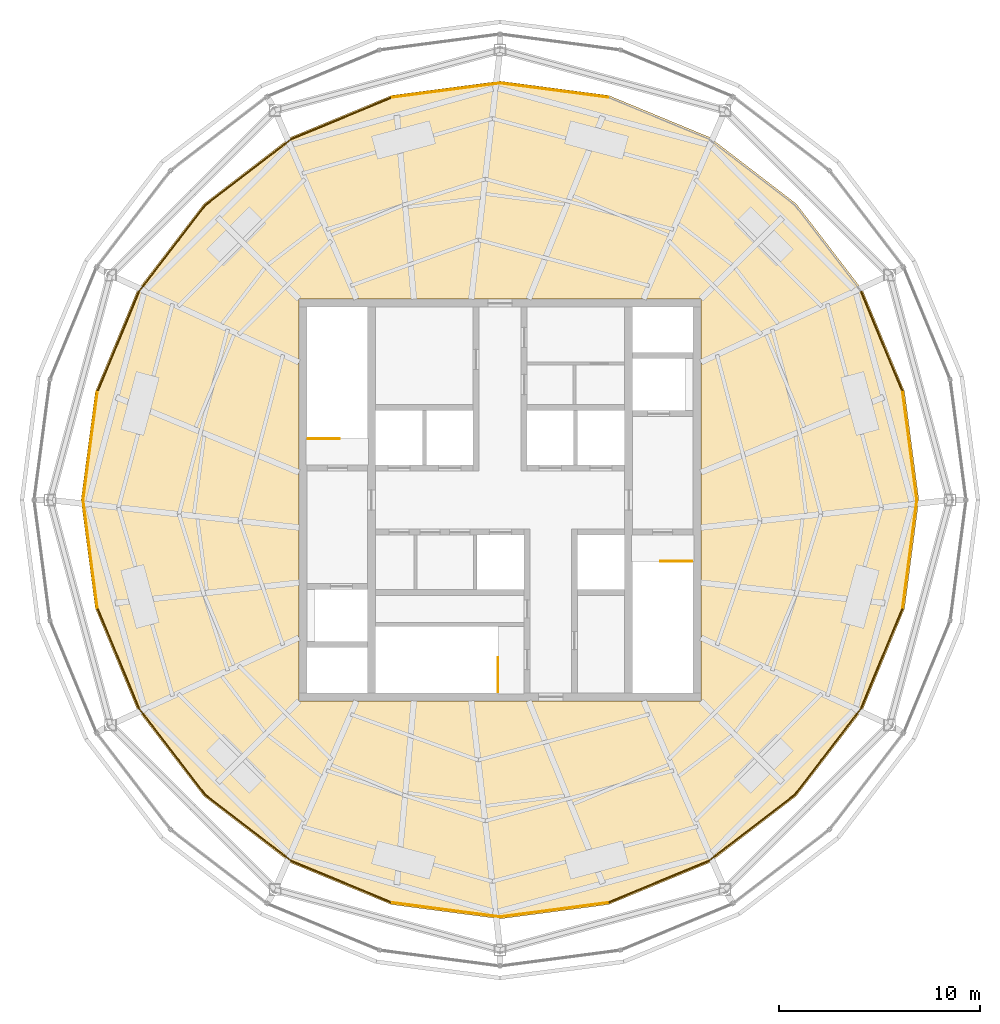
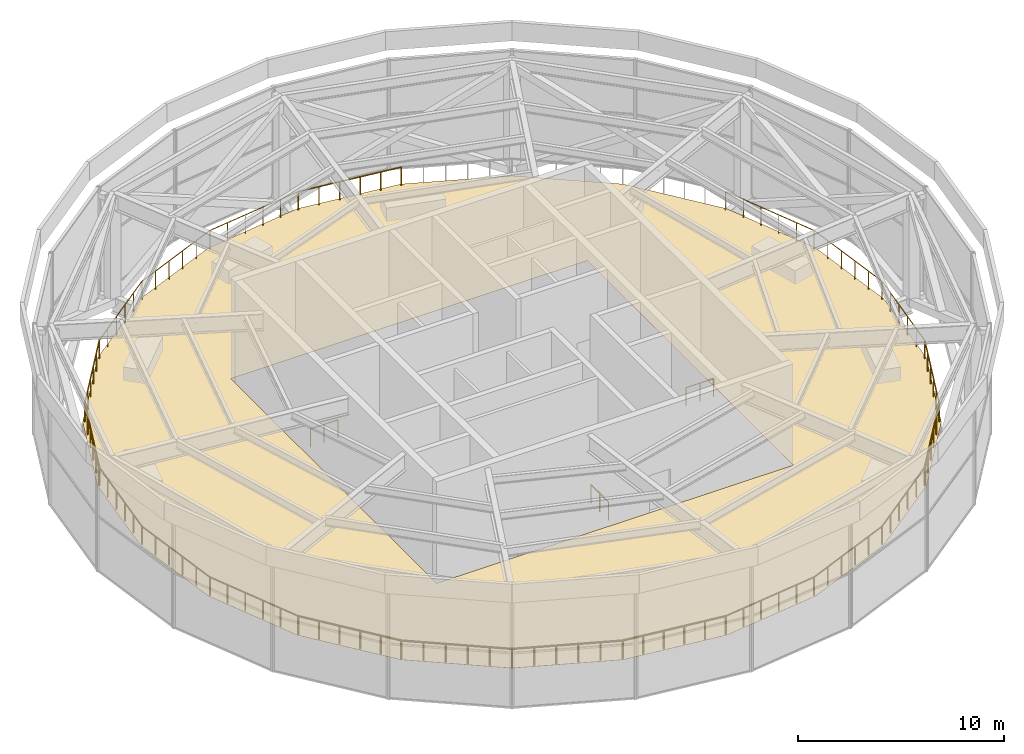
# One storey, part 11 of 13: 24 railings, 1 covering.
"""IFC4 building model written with IfcOpenShell, lengths in metres."""

from ifc_helpers import new_model, si_unit, direction, frame, origin, origin_2d, place, context, subcontext, project, spatial, polyline, circle, outline, extrude, material, layer, layer_set, type_object, element, save


model = new_model("IFC4")

# Units and contexts
model_context = context("Model", 3, precision=1e-05, world=origin(), true_north=direction((0.0, 1.0)))
body_context = subcontext(model_context, "Body", "Model", "MODEL_VIEW")
ifc_project = project(units=[si_unit("LENGTHUNIT", "METRE"), si_unit("AREAUNIT", "SQUARE_METRE"), si_unit("VOLUMEUNIT", "CUBIC_METRE"), si_unit("PLANEANGLEUNIT", "RADIAN"), si_unit("MASSUNIT", "GRAM", prefix="KILO")], contexts=[model_context])

# Site, building, storey
site_placement = place(None, origin())
site = spatial("IfcSite", under=ifc_project, at=site_placement, CompositionType="ELEMENT")
building_placement = place(site_placement, origin())
building = spatial("IfcBuilding", under=site, at=building_placement, Name="Golbaran Civic Tower", CompositionType="ELEMENT")
storey_placement = place(building_placement, frame((0.0, 0.0, 284.0)))
storey = spatial("IfcBuildingStorey", under=building, at=storey_placement, Name="L69", CompositionType="ELEMENT", Elevation=284.0)

# Railings
ifc_material_1 = material(Name="Steel balustrade", Category="steel")
railing_type_1 = type_object("IfcRailingType", Name="STAIR GUARD 1100", PredefinedType="GUARDRAIL", material=ifc_material_1)
railing_1_placement = place(storey_placement, frame((-9.550048828125, 3.050048828125, 0.0)))
element("IfcRailing", 1, at=railing_1_placement, inside=storey, type_object=railing_type_1, Name="Stair S1 top landing guard", PredefinedType="GUARDRAIL", context=body_context, shape_type="SweptSolid", body=[
    extrude(circle(Radius=0.02392578125, at=origin_2d()), frame((0.0, 0.0, 1.076171875), z_axis=(1.0, 0.0, 0.0), x_axis=(0.0, 1.0, 0.0)), (0.0, 0.0, 1.0), 1.550048828125),
    extrude(circle(Radius=0.02099609375, at=origin_2d()), origin(), (0.0, 0.0, 1.0), 1.052001953125),
    extrude(circle(Radius=0.02099609375, at=origin_2d()), frame((0.77490234375, 0.0, 0.0)), (0.0, 0.0, 1.0), 1.052001953125),
    extrude(circle(Radius=0.02099609375, at=origin_2d()), frame((1.550048828125, 0.0, 0.0)), (0.0, 0.0, 1.0), 1.052001953125),
])
railing_2_placement = place(storey_placement, frame((9.550048828125, -3.050048828125, 0.0)))
element("IfcRailing", 2, at=railing_2_placement, inside=storey, type_object=railing_type_1, Name="Stair S2 top landing guard", PredefinedType="GUARDRAIL", context=body_context, shape_type="SweptSolid", body=[
    extrude(circle(Radius=0.02392578125, at=origin_2d()), frame((0.0, 0.0, 1.076171875), z_axis=(-1.0, 0.0, 0.0), x_axis=(0.0, -1.0, 0.0)), (0.0, 0.0, 1.0), 1.550048828125),
    extrude(circle(Radius=0.02099609375, at=origin_2d()), origin(), (0.0, 0.0, 1.0), 1.052001953125),
    extrude(circle(Radius=0.02099609375, at=origin_2d()), frame((-0.77490234375, 0.0, 0.0)), (0.0, 0.0, 1.0), 1.052001953125),
    extrude(circle(Radius=0.02099609375, at=origin_2d()), frame((-1.550048828125, 0.0, 0.0)), (0.0, 0.0, 1.0), 1.052001953125),
])
railing_3_placement = place(storey_placement, frame((-0.10009765625, -9.550048828125, 0.0)))
element("IfcRailing", 3, at=railing_3_placement, inside=storey, type_object=railing_type_1, Name="Stair S3 top landing guard", PredefinedType="GUARDRAIL", context=body_context, shape_type="SweptSolid", body=[
    extrude(circle(Radius=0.02392578125, at=origin_2d()), frame((0.0, 0.0, 1.076171875), z_axis=(0.0, 1.0, 0.0), x_axis=(-1.0, 0.0, 0.0)), (0.0, 0.0, 1.0), 1.699951171875),
    extrude(circle(Radius=0.02099609375, at=origin_2d()), origin(), (0.0, 0.0, 1.0), 1.052001953125),
    extrude(circle(Radius=0.02099609375, at=origin_2d()), frame((0.0, 0.85009765625, 0.0)), (0.0, 0.0, 1.0), 1.052001953125),
    extrude(circle(Radius=0.02099609375, at=origin_2d()), frame((0.0, 1.699951171875, 0.0)), (0.0, 0.0, 1.0), 1.052001953125),
])
ifc_material_2 = material(Name="Stainless steel and glass", Category="steel")
railing_type_2 = type_object("IfcRailingType", Name="TERRACE GUARD RAIL 1100", PredefinedType="GUARDRAIL", material=ifc_material_2)
railing_4_placement = place(storey_placement, frame((20.756103515625, 0.0, 0.0)))
element("IfcRailing", 4, at=railing_4_placement, inside=storey, type_object=railing_type_2, Name="Roof terrace guard 1", PredefinedType="GUARDRAIL", context=body_context, shape_type="SweptSolid", body=[
    extrude(circle(Radius=0.02392578125, at=origin_2d()), frame((0.0, 0.0, 1.076171875), z_axis=(-0.130531438039, 0.991444170734, 0.0), x_axis=(-0.991444170734, -0.130531438039, 0.0)), (0.0, 0.0, 1.0), 5.41845703125),
    extrude(circle(Radius=0.02099609375, at=origin_2d()), origin(), (0.0, 0.0, 1.0), 1.052001953125),
    extrude(circle(Radius=0.02099609375, at=origin_2d()), frame((-0.141357421875, 1.074462890625, 0.0)), (0.0, 0.0, 1.0), 1.052001953125),
    extrude(circle(Radius=0.02099609375, at=origin_2d()), frame((-0.282958984375, 2.14892578125, 0.0)), (0.0, 0.0, 1.0), 1.052001953125),
    extrude(circle(Radius=0.02099609375, at=origin_2d()), frame((-0.42431640625, 3.22314453125, 0.0)), (0.0, 0.0, 1.0), 1.052001953125),
    extrude(circle(Radius=0.02099609375, at=origin_2d()), frame((-0.56591796875, 4.297607421875, 0.0)), (0.0, 0.0, 1.0), 1.052001953125),
    extrude(circle(Radius=0.02099609375, at=origin_2d()), frame((-0.707275390625, 5.3720703125, 0.0)), (0.0, 0.0, 1.0), 1.052001953125),
])
railing_5_placement = place(storey_placement, frame((20.048828125, 5.3720703125, 0.0)))
element("IfcRailing", 5, at=railing_5_placement, inside=storey, type_object=railing_type_2, Name="Roof terrace guard 2", PredefinedType="GUARDRAIL", context=body_context, shape_type="SweptSolid", body=[
    extrude(circle(Radius=0.02392578125, at=origin_2d()), frame((0.0, 0.0, 1.076171875), z_axis=(-0.382682090773, 0.923880088216, 0.0), x_axis=(-0.923880088216, -0.382682090773, 0.0)), (0.0, 0.0, 1.0), 5.418212890625),
    extrude(circle(Radius=0.02099609375, at=origin_2d()), origin(), (0.0, 0.0, 1.0), 1.052001953125),
    extrude(circle(Radius=0.02099609375, at=origin_2d()), frame((-0.414794921875, 1.001220703125, 0.0)), (0.0, 0.0, 1.0), 1.052001953125),
    extrude(circle(Radius=0.02099609375, at=origin_2d()), frame((-0.829345703125, 2.00244140625, 0.0)), (0.0, 0.0, 1.0), 1.052001953125),
    extrude(circle(Radius=0.02099609375, at=origin_2d()), frame((-1.244140625, 3.00341796875, 0.0)), (0.0, 0.0, 1.0), 1.052001953125),
    extrude(circle(Radius=0.02099609375, at=origin_2d()), frame((-1.65869140625, 4.004638671875, 0.0)), (0.0, 0.0, 1.0), 1.052001953125),
    extrude(circle(Radius=0.02099609375, at=origin_2d()), frame((-2.073486328125, 5.005859375, 0.0)), (0.0, 0.0, 1.0), 1.052001953125),
])
railing_6_placement = place(storey_placement, frame((5.3720703125, 20.048828125, 0.0)))
element("IfcRailing", 6, at=railing_6_placement, inside=storey, type_object=railing_type_2, Name="Roof terrace guard 6", PredefinedType="GUARDRAIL", context=body_context, shape_type="SweptSolid", body=[
    extrude(circle(Radius=0.02392578125, at=origin_2d()), frame((0.0, 0.0, 1.076171875), z_axis=(-0.991444170734, 0.130531438039, 0.0), x_axis=(-0.130531438039, -0.991444170734, 0.0)), (0.0, 0.0, 1.0), 5.41845703125),
    extrude(circle(Radius=0.02099609375, at=origin_2d()), origin(), (0.0, 0.0, 1.0), 1.052001953125),
    extrude(circle(Radius=0.02099609375, at=origin_2d()), frame((-1.074462890625, 0.141357421875, 0.0)), (0.0, 0.0, 1.0), 1.052001953125),
    extrude(circle(Radius=0.02099609375, at=origin_2d()), frame((-2.14892578125, 0.282958984375, 0.0)), (0.0, 0.0, 1.0), 1.052001953125),
    extrude(circle(Radius=0.02099609375, at=origin_2d()), frame((-3.22314453125, 0.42431640625, 0.0)), (0.0, 0.0, 1.0), 1.052001953125),
    extrude(circle(Radius=0.02099609375, at=origin_2d()), frame((-4.297607421875, 0.56591796875, 0.0)), (0.0, 0.0, 1.0), 1.052001953125),
    extrude(circle(Radius=0.02099609375, at=origin_2d()), frame((-5.3720703125, 0.707275390625, 0.0)), (0.0, 0.0, 1.0), 1.052001953125),
])
railing_7_placement = place(storey_placement, frame((0.0, 20.756103515625, 0.0)))
element("IfcRailing", 7, at=railing_7_placement, inside=storey, type_object=railing_type_2, Name="Roof terrace guard 7", PredefinedType="GUARDRAIL", context=body_context, shape_type="SweptSolid", body=[
    extrude(circle(Radius=0.02392578125, at=origin_2d()), frame((0.0, 0.0, 1.076171875), z_axis=(-0.991444170734, -0.130531438039, 0.0), x_axis=(0.130531438039, -0.991444170734, 0.0)), (0.0, 0.0, 1.0), 5.41845703125),
    extrude(circle(Radius=0.02099609375, at=origin_2d()), origin(), (0.0, 0.0, 1.0), 1.052001953125),
    extrude(circle(Radius=0.02099609375, at=origin_2d()), frame((-1.074462890625, -0.141357421875, 0.0)), (0.0, 0.0, 1.0), 1.052001953125),
    extrude(circle(Radius=0.02099609375, at=origin_2d()), frame((-2.14892578125, -0.282958984375, 0.0)), (0.0, 0.0, 1.0), 1.052001953125),
    extrude(circle(Radius=0.02099609375, at=origin_2d()), frame((-3.22314453125, -0.42431640625, 0.0)), (0.0, 0.0, 1.0), 1.052001953125),
    extrude(circle(Radius=0.02099609375, at=origin_2d()), frame((-4.297607421875, -0.56591796875, 0.0)), (0.0, 0.0, 1.0), 1.052001953125),
    extrude(circle(Radius=0.02099609375, at=origin_2d()), frame((-5.3720703125, -0.707275390625, 0.0)), (0.0, 0.0, 1.0), 1.052001953125),
])
railing_8_placement = place(storey_placement, frame((-5.3720703125, 20.048828125, 0.0)))
element("IfcRailing", 8, at=railing_8_placement, inside=storey, type_object=railing_type_2, Name="Roof terrace guard 8", PredefinedType="GUARDRAIL", context=body_context, shape_type="SweptSolid", body=[
    extrude(circle(Radius=0.02392578125, at=origin_2d()), frame((0.0, 0.0, 1.076171875), z_axis=(-0.923880088216, -0.382682090773, 0.0), x_axis=(0.382682090773, -0.923880088216, 0.0)), (0.0, 0.0, 1.0), 5.418212890625),
    extrude(circle(Radius=0.02099609375, at=origin_2d()), origin(), (0.0, 0.0, 1.0), 1.052001953125),
    extrude(circle(Radius=0.02099609375, at=origin_2d()), frame((-1.001220703125, -0.414794921875, 0.0)), (0.0, 0.0, 1.0), 1.052001953125),
    extrude(circle(Radius=0.02099609375, at=origin_2d()), frame((-2.00244140625, -0.829345703125, 0.0)), (0.0, 0.0, 1.0), 1.052001953125),
    extrude(circle(Radius=0.02099609375, at=origin_2d()), frame((-3.00341796875, -1.244140625, 0.0)), (0.0, 0.0, 1.0), 1.052001953125),
    extrude(circle(Radius=0.02099609375, at=origin_2d()), frame((-4.004638671875, -1.65869140625, 0.0)), (0.0, 0.0, 1.0), 1.052001953125),
    extrude(circle(Radius=0.02099609375, at=origin_2d()), frame((-5.005859375, -2.073486328125, 0.0)), (0.0, 0.0, 1.0), 1.052001953125),
])
railing_9_placement = place(storey_placement, frame((-10.3779296875, 17.975341796875, 0.0)))
element("IfcRailing", 9, at=railing_9_placement, inside=storey, type_object=railing_type_2, Name="Roof terrace guard 9", PredefinedType="GUARDRAIL", context=body_context, shape_type="SweptSolid", body=[
    extrude(circle(Radius=0.02392578125, at=origin_2d()), frame((0.0, 0.0, 1.076171875), z_axis=(-0.793355377176, -0.608758774479, 0.0), x_axis=(0.608758774479, -0.793355377176, 0.0)), (0.0, 0.0, 1.0), 5.41845703125),
    extrude(circle(Radius=0.02099609375, at=origin_2d()), origin(), (0.0, 0.0, 1.0), 1.052001953125),
    extrude(circle(Radius=0.02099609375, at=origin_2d()), frame((-0.85986328125, -0.65966796875, 0.0)), (0.0, 0.0, 1.0), 1.052001953125),
    extrude(circle(Radius=0.02099609375, at=origin_2d()), frame((-1.719482421875, -1.3193359375, 0.0)), (0.0, 0.0, 1.0), 1.052001953125),
    extrude(circle(Radius=0.02099609375, at=origin_2d()), frame((-2.579345703125, -1.979248046875, 0.0)), (0.0, 0.0, 1.0), 1.052001953125),
    extrude(circle(Radius=0.02099609375, at=origin_2d()), frame((-3.43896484375, -2.638916015625, 0.0)), (0.0, 0.0, 1.0), 1.052001953125),
    extrude(circle(Radius=0.02099609375, at=origin_2d()), frame((-4.298828125, -3.298583984375, 0.0)), (0.0, 0.0, 1.0), 1.052001953125),
])
railing_10_placement = place(storey_placement, frame((-14.6767578125, 14.6767578125, 0.0)))
element("IfcRailing", 10, at=railing_10_placement, inside=storey, type_object=railing_type_2, Name="Roof terrace guard 10", PredefinedType="GUARDRAIL", context=body_context, shape_type="SweptSolid", body=[
    extrude(circle(Radius=0.02392578125, at=origin_2d()), frame((0.0, 0.0, 1.076171875), z_axis=(-0.608758774479, -0.793355377176, 0.0), x_axis=(0.793355377176, -0.608758774479, 0.0)), (0.0, 0.0, 1.0), 5.41845703125),
    extrude(circle(Radius=0.02099609375, at=origin_2d()), origin(), (0.0, 0.0, 1.0), 1.052001953125),
    extrude(circle(Radius=0.02099609375, at=origin_2d()), frame((-0.65966796875, -0.85986328125, 0.0)), (0.0, 0.0, 1.0), 1.052001953125),
    extrude(circle(Radius=0.02099609375, at=origin_2d()), frame((-1.3193359375, -1.719482421875, 0.0)), (0.0, 0.0, 1.0), 1.052001953125),
    extrude(circle(Radius=0.02099609375, at=origin_2d()), frame((-1.979248046875, -2.579345703125, 0.0)), (0.0, 0.0, 1.0), 1.052001953125),
    extrude(circle(Radius=0.02099609375, at=origin_2d()), frame((-2.638916015625, -3.43896484375, 0.0)), (0.0, 0.0, 1.0), 1.052001953125),
    extrude(circle(Radius=0.02099609375, at=origin_2d()), frame((-3.298583984375, -4.298828125, 0.0)), (0.0, 0.0, 1.0), 1.052001953125),
])
railing_11_placement = place(storey_placement, frame((-17.975341796875, 10.3779296875, 0.0)))
element("IfcRailing", 11, at=railing_11_placement, inside=storey, type_object=railing_type_2, Name="Roof terrace guard 11", PredefinedType="GUARDRAIL", context=body_context, shape_type="SweptSolid", body=[
    extrude(circle(Radius=0.02392578125, at=origin_2d()), frame((0.0, 0.0, 1.076171875), z_axis=(-0.382682090773, -0.923880088216, 0.0), x_axis=(0.923880088216, -0.382682090773, 0.0)), (0.0, 0.0, 1.0), 5.418212890625),
    extrude(circle(Radius=0.02099609375, at=origin_2d()), origin(), (0.0, 0.0, 1.0), 1.052001953125),
    extrude(circle(Radius=0.02099609375, at=origin_2d()), frame((-0.414794921875, -1.001220703125, 0.0)), (0.0, 0.0, 1.0), 1.052001953125),
    extrude(circle(Radius=0.02099609375, at=origin_2d()), frame((-0.829345703125, -2.00244140625, 0.0)), (0.0, 0.0, 1.0), 1.052001953125),
    extrude(circle(Radius=0.02099609375, at=origin_2d()), frame((-1.244140625, -3.00341796875, 0.0)), (0.0, 0.0, 1.0), 1.052001953125),
    extrude(circle(Radius=0.02099609375, at=origin_2d()), frame((-1.65869140625, -4.004638671875, 0.0)), (0.0, 0.0, 1.0), 1.052001953125),
    extrude(circle(Radius=0.02099609375, at=origin_2d()), frame((-2.073486328125, -5.005859375, 0.0)), (0.0, 0.0, 1.0), 1.052001953125),
])
railing_12_placement = place(storey_placement, frame((-20.048828125, 5.3720703125, 0.0)))
element("IfcRailing", 12, at=railing_12_placement, inside=storey, type_object=railing_type_2, Name="Roof terrace guard 12", PredefinedType="GUARDRAIL", context=body_context, shape_type="SweptSolid", body=[
    extrude(circle(Radius=0.02392578125, at=origin_2d()), frame((0.0, 0.0, 1.076171875), z_axis=(-0.130531438039, -0.991444170734, 0.0), x_axis=(0.991444170734, -0.130531438039, 0.0)), (0.0, 0.0, 1.0), 5.41845703125),
    extrude(circle(Radius=0.02099609375, at=origin_2d()), origin(), (0.0, 0.0, 1.0), 1.052001953125),
    extrude(circle(Radius=0.02099609375, at=origin_2d()), frame((-0.141357421875, -1.074462890625, 0.0)), (0.0, 0.0, 1.0), 1.052001953125),
    extrude(circle(Radius=0.02099609375, at=origin_2d()), frame((-0.282958984375, -2.14892578125, 0.0)), (0.0, 0.0, 1.0), 1.052001953125),
    extrude(circle(Radius=0.02099609375, at=origin_2d()), frame((-0.42431640625, -3.22314453125, 0.0)), (0.0, 0.0, 1.0), 1.052001953125),
    extrude(circle(Radius=0.02099609375, at=origin_2d()), frame((-0.56591796875, -4.297607421875, 0.0)), (0.0, 0.0, 1.0), 1.052001953125),
    extrude(circle(Radius=0.02099609375, at=origin_2d()), frame((-0.707275390625, -5.3720703125, 0.0)), (0.0, 0.0, 1.0), 1.052001953125),
])
railing_13_placement = place(storey_placement, frame((-20.756103515625, 0.0, 0.0)))
element("IfcRailing", 13, at=railing_13_placement, inside=storey, type_object=railing_type_2, Name="Roof terrace guard 13", PredefinedType="GUARDRAIL", context=body_context, shape_type="SweptSolid", body=[
    extrude(circle(Radius=0.02392578125, at=origin_2d()), frame((0.0, 0.0, 1.076171875), z_axis=(0.130531438039, -0.991444170734, 0.0), x_axis=(0.991444170734, 0.130531438039, 0.0)), (0.0, 0.0, 1.0), 5.41845703125),
    extrude(circle(Radius=0.02099609375, at=origin_2d()), origin(), (0.0, 0.0, 1.0), 1.052001953125),
    extrude(circle(Radius=0.02099609375, at=origin_2d()), frame((0.141357421875, -1.074462890625, 0.0)), (0.0, 0.0, 1.0), 1.052001953125),
    extrude(circle(Radius=0.02099609375, at=origin_2d()), frame((0.282958984375, -2.14892578125, 0.0)), (0.0, 0.0, 1.0), 1.052001953125),
    extrude(circle(Radius=0.02099609375, at=origin_2d()), frame((0.42431640625, -3.22314453125, 0.0)), (0.0, 0.0, 1.0), 1.052001953125),
    extrude(circle(Radius=0.02099609375, at=origin_2d()), frame((0.56591796875, -4.297607421875, 0.0)), (0.0, 0.0, 1.0), 1.052001953125),
    extrude(circle(Radius=0.02099609375, at=origin_2d()), frame((0.707275390625, -5.3720703125, 0.0)), (0.0, 0.0, 1.0), 1.052001953125),
])
railing_14_placement = place(storey_placement, frame((-20.048828125, -5.3720703125, 0.0)))
element("IfcRailing", 14, at=railing_14_placement, inside=storey, type_object=railing_type_2, Name="Roof terrace guard 14", PredefinedType="GUARDRAIL", context=body_context, shape_type="SweptSolid", body=[
    extrude(circle(Radius=0.02392578125, at=origin_2d()), frame((0.0, 0.0, 1.076171875), z_axis=(0.382682090773, -0.923880088216, 0.0), x_axis=(0.923880088216, 0.382682090773, 0.0)), (0.0, 0.0, 1.0), 5.418212890625),
    extrude(circle(Radius=0.02099609375, at=origin_2d()), origin(), (0.0, 0.0, 1.0), 1.052001953125),
    extrude(circle(Radius=0.02099609375, at=origin_2d()), frame((0.414794921875, -1.001220703125, 0.0)), (0.0, 0.0, 1.0), 1.052001953125),
    extrude(circle(Radius=0.02099609375, at=origin_2d()), frame((0.829345703125, -2.00244140625, 0.0)), (0.0, 0.0, 1.0), 1.052001953125),
    extrude(circle(Radius=0.02099609375, at=origin_2d()), frame((1.244140625, -3.00341796875, 0.0)), (0.0, 0.0, 1.0), 1.052001953125),
    extrude(circle(Radius=0.02099609375, at=origin_2d()), frame((1.65869140625, -4.004638671875, 0.0)), (0.0, 0.0, 1.0), 1.052001953125),
    extrude(circle(Radius=0.02099609375, at=origin_2d()), frame((2.073486328125, -5.005859375, 0.0)), (0.0, 0.0, 1.0), 1.052001953125),
])
railing_15_placement = place(storey_placement, frame((-17.975341796875, -10.3779296875, 0.0)))
element("IfcRailing", 15, at=railing_15_placement, inside=storey, type_object=railing_type_2, Name="Roof terrace guard 15", PredefinedType="GUARDRAIL", context=body_context, shape_type="SweptSolid", body=[
    extrude(circle(Radius=0.02392578125, at=origin_2d()), frame((0.0, 0.0, 1.076171875), z_axis=(0.608758774479, -0.793355377176, 0.0), x_axis=(0.793355377176, 0.608758774479, 0.0)), (0.0, 0.0, 1.0), 5.41845703125),
    extrude(circle(Radius=0.02099609375, at=origin_2d()), origin(), (0.0, 0.0, 1.0), 1.052001953125),
    extrude(circle(Radius=0.02099609375, at=origin_2d()), frame((0.65966796875, -0.85986328125, 0.0)), (0.0, 0.0, 1.0), 1.052001953125),
    extrude(circle(Radius=0.02099609375, at=origin_2d()), frame((1.3193359375, -1.719482421875, 0.0)), (0.0, 0.0, 1.0), 1.052001953125),
    extrude(circle(Radius=0.02099609375, at=origin_2d()), frame((1.979248046875, -2.579345703125, 0.0)), (0.0, 0.0, 1.0), 1.052001953125),
    extrude(circle(Radius=0.02099609375, at=origin_2d()), frame((2.638916015625, -3.43896484375, 0.0)), (0.0, 0.0, 1.0), 1.052001953125),
    extrude(circle(Radius=0.02099609375, at=origin_2d()), frame((3.298583984375, -4.298828125, 0.0)), (0.0, 0.0, 1.0), 1.052001953125),
])
railing_16_placement = place(storey_placement, frame((-14.6767578125, -14.6767578125, 0.0)))
element("IfcRailing", 16, at=railing_16_placement, inside=storey, type_object=railing_type_2, Name="Roof terrace guard 16", PredefinedType="GUARDRAIL", context=body_context, shape_type="SweptSolid", body=[
    extrude(circle(Radius=0.02392578125, at=origin_2d()), frame((0.0, 0.0, 1.076171875), z_axis=(0.793355377176, -0.608758774479, 0.0), x_axis=(0.608758774479, 0.793355377176, 0.0)), (0.0, 0.0, 1.0), 5.41845703125),
    extrude(circle(Radius=0.02099609375, at=origin_2d()), origin(), (0.0, 0.0, 1.0), 1.052001953125),
    extrude(circle(Radius=0.02099609375, at=origin_2d()), frame((0.85986328125, -0.65966796875, 0.0)), (0.0, 0.0, 1.0), 1.052001953125),
    extrude(circle(Radius=0.02099609375, at=origin_2d()), frame((1.719482421875, -1.3193359375, 0.0)), (0.0, 0.0, 1.0), 1.052001953125),
    extrude(circle(Radius=0.02099609375, at=origin_2d()), frame((2.579345703125, -1.979248046875, 0.0)), (0.0, 0.0, 1.0), 1.052001953125),
    extrude(circle(Radius=0.02099609375, at=origin_2d()), frame((3.43896484375, -2.638916015625, 0.0)), (0.0, 0.0, 1.0), 1.052001953125),
    extrude(circle(Radius=0.02099609375, at=origin_2d()), frame((4.298828125, -3.298583984375, 0.0)), (0.0, 0.0, 1.0), 1.052001953125),
])
railing_17_placement = place(storey_placement, frame((-10.3779296875, -17.975341796875, 0.0)))
element("IfcRailing", 17, at=railing_17_placement, inside=storey, type_object=railing_type_2, Name="Roof terrace guard 17", PredefinedType="GUARDRAIL", context=body_context, shape_type="SweptSolid", body=[
    extrude(circle(Radius=0.02392578125, at=origin_2d()), frame((0.0, 0.0, 1.076171875), z_axis=(0.923880088216, -0.382682090773, 0.0), x_axis=(0.382682090773, 0.923880088216, 0.0)), (0.0, 0.0, 1.0), 5.418212890625),
    extrude(circle(Radius=0.02099609375, at=origin_2d()), origin(), (0.0, 0.0, 1.0), 1.052001953125),
    extrude(circle(Radius=0.02099609375, at=origin_2d()), frame((1.001220703125, -0.414794921875, 0.0)), (0.0, 0.0, 1.0), 1.052001953125),
    extrude(circle(Radius=0.02099609375, at=origin_2d()), frame((2.00244140625, -0.829345703125, 0.0)), (0.0, 0.0, 1.0), 1.052001953125),
    extrude(circle(Radius=0.02099609375, at=origin_2d()), frame((3.00341796875, -1.244140625, 0.0)), (0.0, 0.0, 1.0), 1.052001953125),
    extrude(circle(Radius=0.02099609375, at=origin_2d()), frame((4.004638671875, -1.65869140625, 0.0)), (0.0, 0.0, 1.0), 1.052001953125),
    extrude(circle(Radius=0.02099609375, at=origin_2d()), frame((5.005859375, -2.073486328125, 0.0)), (0.0, 0.0, 1.0), 1.052001953125),
])
railing_18_placement = place(storey_placement, frame((-5.3720703125, -20.048828125, 0.0)))
element("IfcRailing", 18, at=railing_18_placement, inside=storey, type_object=railing_type_2, Name="Roof terrace guard 18", PredefinedType="GUARDRAIL", context=body_context, shape_type="SweptSolid", body=[
    extrude(circle(Radius=0.02392578125, at=origin_2d()), frame((0.0, 0.0, 1.076171875), z_axis=(0.991444170734, -0.130531438039, 0.0), x_axis=(0.130531438039, 0.991444170734, 0.0)), (0.0, 0.0, 1.0), 5.41845703125),
    extrude(circle(Radius=0.02099609375, at=origin_2d()), origin(), (0.0, 0.0, 1.0), 1.052001953125),
    extrude(circle(Radius=0.02099609375, at=origin_2d()), frame((1.074462890625, -0.141357421875, 0.0)), (0.0, 0.0, 1.0), 1.052001953125),
    extrude(circle(Radius=0.02099609375, at=origin_2d()), frame((2.14892578125, -0.282958984375, 0.0)), (0.0, 0.0, 1.0), 1.052001953125),
    extrude(circle(Radius=0.02099609375, at=origin_2d()), frame((3.22314453125, -0.42431640625, 0.0)), (0.0, 0.0, 1.0), 1.052001953125),
    extrude(circle(Radius=0.02099609375, at=origin_2d()), frame((4.297607421875, -0.56591796875, 0.0)), (0.0, 0.0, 1.0), 1.052001953125),
    extrude(circle(Radius=0.02099609375, at=origin_2d()), frame((5.3720703125, -0.707275390625, 0.0)), (0.0, 0.0, 1.0), 1.052001953125),
])
railing_19_placement = place(storey_placement, frame((0.0, -20.756103515625, 0.0)))
element("IfcRailing", 19, at=railing_19_placement, inside=storey, type_object=railing_type_2, Name="Roof terrace guard 19", PredefinedType="GUARDRAIL", context=body_context, shape_type="SweptSolid", body=[
    extrude(circle(Radius=0.02392578125, at=origin_2d()), frame((0.0, 0.0, 1.076171875), z_axis=(0.991444170734, 0.130531438039, 0.0), x_axis=(-0.130531438039, 0.991444170734, 0.0)), (0.0, 0.0, 1.0), 5.41845703125),
    extrude(circle(Radius=0.02099609375, at=origin_2d()), origin(), (0.0, 0.0, 1.0), 1.052001953125),
    extrude(circle(Radius=0.02099609375, at=origin_2d()), frame((1.074462890625, 0.141357421875, 0.0)), (0.0, 0.0, 1.0), 1.052001953125),
    extrude(circle(Radius=0.02099609375, at=origin_2d()), frame((2.14892578125, 0.282958984375, 0.0)), (0.0, 0.0, 1.0), 1.052001953125),
    extrude(circle(Radius=0.02099609375, at=origin_2d()), frame((3.22314453125, 0.42431640625, 0.0)), (0.0, 0.0, 1.0), 1.052001953125),
    extrude(circle(Radius=0.02099609375, at=origin_2d()), frame((4.297607421875, 0.56591796875, 0.0)), (0.0, 0.0, 1.0), 1.052001953125),
    extrude(circle(Radius=0.02099609375, at=origin_2d()), frame((5.3720703125, 0.707275390625, 0.0)), (0.0, 0.0, 1.0), 1.052001953125),
])
railing_20_placement = place(storey_placement, frame((5.3720703125, -20.048828125, 0.0)))
element("IfcRailing", 20, at=railing_20_placement, inside=storey, type_object=railing_type_2, Name="Roof terrace guard 20", PredefinedType="GUARDRAIL", context=body_context, shape_type="SweptSolid", body=[
    extrude(circle(Radius=0.02392578125, at=origin_2d()), frame((0.0, 0.0, 1.076171875), z_axis=(0.923880088216, 0.382682090773, 0.0), x_axis=(-0.382682090773, 0.923880088216, 0.0)), (0.0, 0.0, 1.0), 5.418212890625),
    extrude(circle(Radius=0.02099609375, at=origin_2d()), origin(), (0.0, 0.0, 1.0), 1.052001953125),
    extrude(circle(Radius=0.02099609375, at=origin_2d()), frame((1.001220703125, 0.414794921875, 0.0)), (0.0, 0.0, 1.0), 1.052001953125),
    extrude(circle(Radius=0.02099609375, at=origin_2d()), frame((2.00244140625, 0.829345703125, 0.0)), (0.0, 0.0, 1.0), 1.052001953125),
    extrude(circle(Radius=0.02099609375, at=origin_2d()), frame((3.00341796875, 1.244140625, 0.0)), (0.0, 0.0, 1.0), 1.052001953125),
    extrude(circle(Radius=0.02099609375, at=origin_2d()), frame((4.004638671875, 1.65869140625, 0.0)), (0.0, 0.0, 1.0), 1.052001953125),
    extrude(circle(Radius=0.02099609375, at=origin_2d()), frame((5.005859375, 2.073486328125, 0.0)), (0.0, 0.0, 1.0), 1.052001953125),
])
railing_21_placement = place(storey_placement, frame((10.3779296875, -17.975341796875, 0.0)))
element("IfcRailing", 21, at=railing_21_placement, inside=storey, type_object=railing_type_2, Name="Roof terrace guard 21", PredefinedType="GUARDRAIL", context=body_context, shape_type="SweptSolid", body=[
    extrude(circle(Radius=0.02392578125, at=origin_2d()), frame((0.0, 0.0, 1.076171875), z_axis=(0.793355377176, 0.608758774479, 0.0), x_axis=(-0.608758774479, 0.793355377176, 0.0)), (0.0, 0.0, 1.0), 5.41845703125),
    extrude(circle(Radius=0.02099609375, at=origin_2d()), origin(), (0.0, 0.0, 1.0), 1.052001953125),
    extrude(circle(Radius=0.02099609375, at=origin_2d()), frame((0.85986328125, 0.65966796875, 0.0)), (0.0, 0.0, 1.0), 1.052001953125),
    extrude(circle(Radius=0.02099609375, at=origin_2d()), frame((1.719482421875, 1.3193359375, 0.0)), (0.0, 0.0, 1.0), 1.052001953125),
    extrude(circle(Radius=0.02099609375, at=origin_2d()), frame((2.579345703125, 1.979248046875, 0.0)), (0.0, 0.0, 1.0), 1.052001953125),
    extrude(circle(Radius=0.02099609375, at=origin_2d()), frame((3.43896484375, 2.638916015625, 0.0)), (0.0, 0.0, 1.0), 1.052001953125),
    extrude(circle(Radius=0.02099609375, at=origin_2d()), frame((4.298828125, 3.298583984375, 0.0)), (0.0, 0.0, 1.0), 1.052001953125),
])
railing_22_placement = place(storey_placement, frame((14.6767578125, -14.6767578125, 0.0)))
element("IfcRailing", 22, at=railing_22_placement, inside=storey, type_object=railing_type_2, Name="Roof terrace guard 22", PredefinedType="GUARDRAIL", context=body_context, shape_type="SweptSolid", body=[
    extrude(circle(Radius=0.02392578125, at=origin_2d()), frame((0.0, 0.0, 1.076171875), z_axis=(0.608758774479, 0.793355377176, 0.0), x_axis=(-0.793355377176, 0.608758774479, 0.0)), (0.0, 0.0, 1.0), 5.41845703125),
    extrude(circle(Radius=0.02099609375, at=origin_2d()), origin(), (0.0, 0.0, 1.0), 1.052001953125),
    extrude(circle(Radius=0.02099609375, at=origin_2d()), frame((0.65966796875, 0.85986328125, 0.0)), (0.0, 0.0, 1.0), 1.052001953125),
    extrude(circle(Radius=0.02099609375, at=origin_2d()), frame((1.3193359375, 1.719482421875, 0.0)), (0.0, 0.0, 1.0), 1.052001953125),
    extrude(circle(Radius=0.02099609375, at=origin_2d()), frame((1.979248046875, 2.579345703125, 0.0)), (0.0, 0.0, 1.0), 1.052001953125),
    extrude(circle(Radius=0.02099609375, at=origin_2d()), frame((2.638916015625, 3.43896484375, 0.0)), (0.0, 0.0, 1.0), 1.052001953125),
    extrude(circle(Radius=0.02099609375, at=origin_2d()), frame((3.298583984375, 4.298828125, 0.0)), (0.0, 0.0, 1.0), 1.052001953125),
])
railing_23_placement = place(storey_placement, frame((17.975341796875, -10.3779296875, 0.0)))
element("IfcRailing", 23, at=railing_23_placement, inside=storey, type_object=railing_type_2, Name="Roof terrace guard 23", PredefinedType="GUARDRAIL", context=body_context, shape_type="SweptSolid", body=[
    extrude(circle(Radius=0.02392578125, at=origin_2d()), frame((0.0, 0.0, 1.076171875), z_axis=(0.382682090773, 0.923880088216, 0.0), x_axis=(-0.923880088216, 0.382682090773, 0.0)), (0.0, 0.0, 1.0), 5.418212890625),
    extrude(circle(Radius=0.02099609375, at=origin_2d()), origin(), (0.0, 0.0, 1.0), 1.052001953125),
    extrude(circle(Radius=0.02099609375, at=origin_2d()), frame((0.414794921875, 1.001220703125, 0.0)), (0.0, 0.0, 1.0), 1.052001953125),
    extrude(circle(Radius=0.02099609375, at=origin_2d()), frame((0.829345703125, 2.00244140625, 0.0)), (0.0, 0.0, 1.0), 1.052001953125),
    extrude(circle(Radius=0.02099609375, at=origin_2d()), frame((1.244140625, 3.00341796875, 0.0)), (0.0, 0.0, 1.0), 1.052001953125),
    extrude(circle(Radius=0.02099609375, at=origin_2d()), frame((1.65869140625, 4.004638671875, 0.0)), (0.0, 0.0, 1.0), 1.052001953125),
    extrude(circle(Radius=0.02099609375, at=origin_2d()), frame((2.073486328125, 5.005859375, 0.0)), (0.0, 0.0, 1.0), 1.052001953125),
])
railing_24_placement = place(storey_placement, frame((20.048828125, -5.3720703125, 0.0)))
element("IfcRailing", 24, at=railing_24_placement, inside=storey, type_object=railing_type_2, Name="Roof terrace guard 24", PredefinedType="GUARDRAIL", context=body_context, shape_type="SweptSolid", body=[
    extrude(circle(Radius=0.02392578125, at=origin_2d()), frame((0.0, 0.0, 1.076171875), z_axis=(0.130531438039, 0.991444170734, 0.0), x_axis=(-0.991444170734, 0.130531438039, 0.0)), (0.0, 0.0, 1.0), 5.41845703125),
    extrude(circle(Radius=0.02099609375, at=origin_2d()), origin(), (0.0, 0.0, 1.0), 1.052001953125),
    extrude(circle(Radius=0.02099609375, at=origin_2d()), frame((0.141357421875, 1.074462890625, 0.0)), (0.0, 0.0, 1.0), 1.052001953125),
    extrude(circle(Radius=0.02099609375, at=origin_2d()), frame((0.282958984375, 2.14892578125, 0.0)), (0.0, 0.0, 1.0), 1.052001953125),
    extrude(circle(Radius=0.02099609375, at=origin_2d()), frame((0.42431640625, 3.22314453125, 0.0)), (0.0, 0.0, 1.0), 1.052001953125),
    extrude(circle(Radius=0.02099609375, at=origin_2d()), frame((0.56591796875, 4.297607421875, 0.0)), (0.0, 0.0, 1.0), 1.052001953125),
    extrude(circle(Radius=0.02099609375, at=origin_2d()), frame((0.707275390625, 5.3720703125, 0.0)), (0.0, 0.0, 1.0), 1.052001953125),
])

# Covering
ifc_material_3 = material(Name="Reinforced bitumen membrane", Category="concrete")
ifc_layer = layer(ifc_material_3, 0.010009765625, Name="Reinforced bitumen membrane")
ifc_layer_set = layer_set([ifc_layer], Name="Reinforced bitumen membrane")
covering_type = type_object("IfcCoveringType", Name="WATERPROOFING MEMBRANE 10", PredefinedType="MEMBRANE", material=ifc_layer_set)
covering_placement = place(storey_placement, frame((0.0, 0.0, -0.010009765625)))
element("IfcCovering", 25, at=covering_placement, inside=storey, type_object=covering_type, Name="Waterproofing membrane L69", PredefinedType="MEMBRANE", context=body_context, shape_type="SweptSolid", body=[
    extrude(outline(polyline([(18.06201171875, -10.42822265625), (14.74755859375, -14.74755859375), (10.42822265625, -18.06201171875), (5.39794921875, -20.145751953125), (0.0, -20.856201171875), (-5.39794921875, -20.145751953125), (-10.42822265625, -18.06201171875), (-14.74755859375, -14.74755859375), (-18.06201171875, -10.42822265625), (-20.145751953125, -5.39794921875), (-20.856201171875, 0.0), (-20.145751953125, 5.39794921875), (-18.06201171875, 10.42822265625), (-14.74755859375, 14.74755859375), (-10.42822265625, 18.06201171875), (-5.39794921875, 20.145751953125), (0.0, 20.856201171875), (5.39794921875, 20.145751953125), (10.42822265625, 18.06201171875), (14.74755859375, 14.74755859375), (18.06201171875, 10.42822265625), (20.145751953125, 5.39794921875), (20.856201171875, 0.0), (20.145751953125, -5.39794921875), (18.06201171875, -10.42822265625)]), holes=[polyline([(-10.0, 10.0), (-10.0, -10.0), (10.0, -10.0), (10.0, 10.0), (-10.0, 10.0)])]), origin(), (0.0, 0.0, 1.0), 0.010009765625),
])

save(model, "model.ifc")
